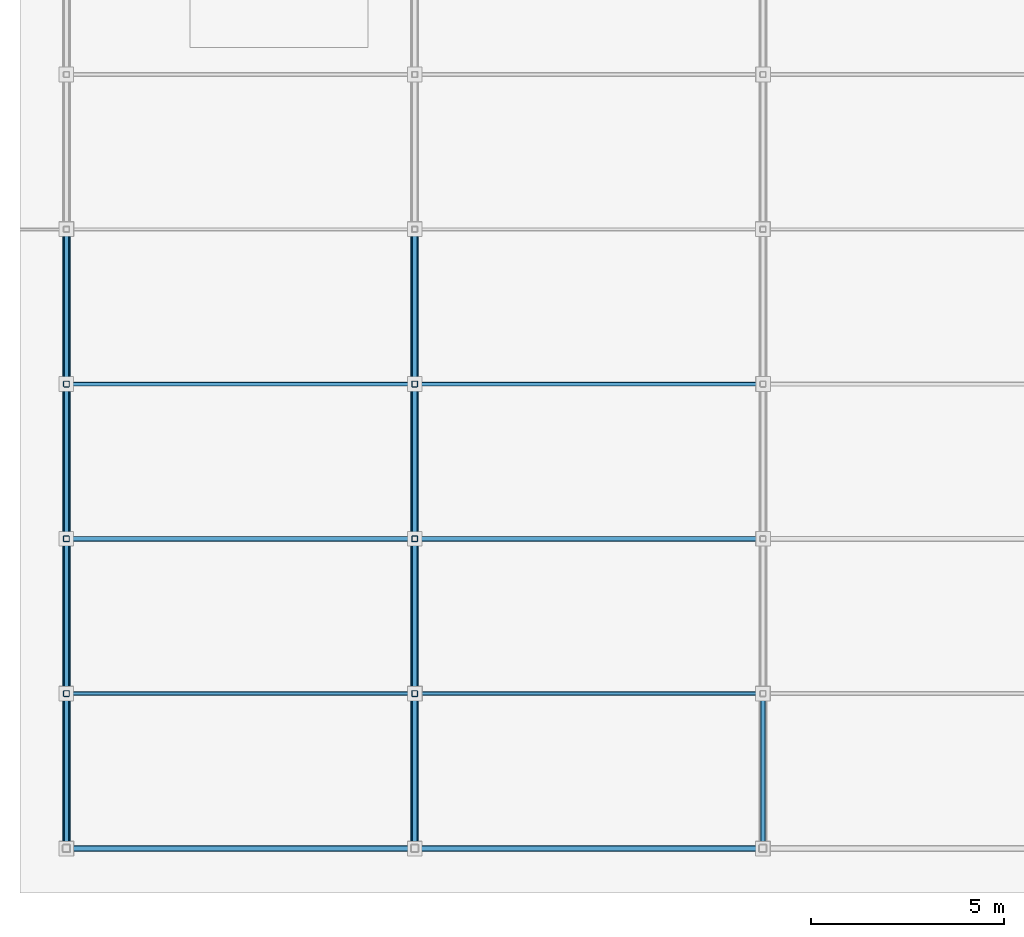
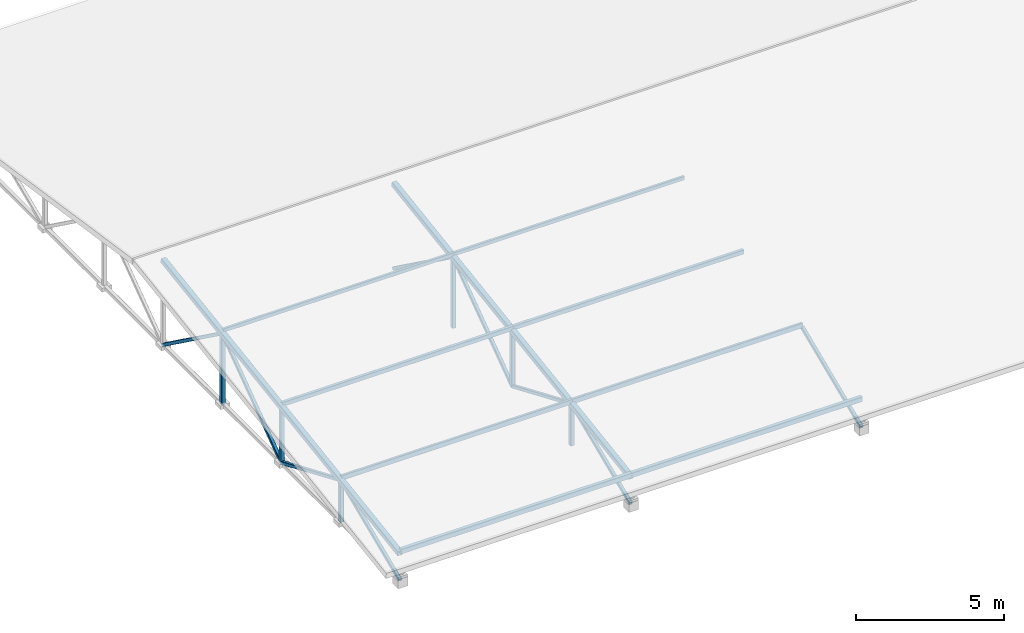
# One storey, part 8 of 118: 23 members, 2 beams.
"""IFC4 building model written with IfcOpenShell, lengths in metres."""

from ifc_helpers import new_model, si_unit, direction, frame, origin, origin_2d, place, context, subcontext, project, spatial, hollow_rectangle, extrude, material, material_profile, profile_set, type_object, element, save


model = new_model("IFC4")

# Units and contexts
model_context = context("Model", 3, precision=1e-05, world=origin(), true_north=direction((0.0, 1.0)))
body_context = subcontext(model_context, "Body", "Model", "MODEL_VIEW")
ifc_project = project(units=[si_unit("LENGTHUNIT", "METRE"), si_unit("AREAUNIT", "SQUARE_METRE"), si_unit("VOLUMEUNIT", "CUBIC_METRE"), si_unit("PLANEANGLEUNIT", "RADIAN"), si_unit("MASSUNIT", "GRAM", prefix="KILO"), si_unit("THERMODYNAMICTEMPERATUREUNIT", "KELVIN"), si_unit("POWERUNIT", "WATT")], contexts=[model_context])

# Site, building, storey
site_placement = place(None, origin())
site = spatial("IfcSite", under=ifc_project, at=site_placement, CompositionType="ELEMENT")
building_placement = place(site_placement, origin())
building = spatial("IfcBuilding", under=site, at=building_placement, Name="Zelmaris Science Centre", CompositionType="ELEMENT")
storey_placement = place(building_placement, frame((0.0, 0.0, 15.60009765625)))
storey = spatial("IfcBuildingStorey", under=building, at=storey_placement, Name="L03", CompositionType="ELEMENT", Elevation=15.60009765625)

# Beams
ifc_material = material(Name="Steel ASTM A500 Grade C", Category="steel")
ifc_material_profile_1 = material_profile(ifc_material, hollow_rectangle(XDim=0.203125, YDim=0.203125, WallThickness=0.01171875, InnerFilletRadius=0.01171875, OuterFilletRadius=0.023681640625, at=origin_2d()), Name="HSS203X203X13")
ifc_profile_set_1 = profile_set([ifc_material_profile_1], Name="Steel ASTM A500 Grade C")
beam_type = type_object("IfcBeamType", Name="Beam G-20 HSS203X203X13", PredefinedType="BEAM", material=ifc_profile_set_1)
for number, where, z_axis, x_axis, name in (
    (1, (9.0, 8.0, 0.99560546875), (0.0, 0.988937238327, 0.148334549755), (-1.0, 0.0, 0.0), "RF-V3 Roof truss 1 south top chord"),
    (2, (18.0, 8.0, 0.99560546875), (0.0, 0.988937238327, 0.148334549755), (-1.0, 0.0, 0.0), "RF-V3 Roof truss 2 south top chord"),
):
    element("IfcBeam", number, at=place(storey_placement, frame(where, z_axis=z_axis, x_axis=x_axis)), inside=storey, type_object=beam_type, Name=name, PredefinedType="BEAM", context=body_context, shape_type="SweptSolid", body=[
        extrude(hollow_rectangle(XDim=0.203125, YDim=0.203125, WallThickness=0.01171875, InnerFilletRadius=0.01171875, OuterFilletRadius=0.023681640625, at=origin_2d()), origin(), (0.0, 0.0, 1.0), 16.178955078125),
    ])

# Members
ifc_material_profile_2 = material_profile(ifc_material, hollow_rectangle(XDim=0.15234375, YDim=0.203125, WallThickness=0.0087890625, InnerFilletRadius=0.0087890625, OuterFilletRadius=0.017822265625, at=origin_2d()), Name="HSS203X152X10")
ifc_profile_set_2 = profile_set([ifc_material_profile_2], Name="Steel ASTM A500 Grade C")
member_type_1 = type_object("IfcMemberType", Name="Roof Purlin PR-02 HSS203X152X10", PredefinedType="PURLIN", material=ifc_profile_set_2)
for number, where, z_axis, x_axis, name in (
    (3, (9.0, 8.0, 1.090576171875), (1.0, 0.0, 0.0), (0.0, 1.0, 0.0), "RF-V3 Roof purlin 1"),
    (4, (18.0, 8.0, 1.090576171875), (1.0, 0.0, 0.0), (0.0, 1.0, 0.0), "RF-V3 Roof purlin 10"),
):
    element("IfcMember", number, at=place(storey_placement, frame(where, z_axis=z_axis, x_axis=x_axis)), inside=storey, type_object=member_type_1, Name=name, PredefinedType="PURLIN", context=body_context, shape_type="SweptSolid", body=[
        extrude(hollow_rectangle(XDim=0.15234375, YDim=0.203125, WallThickness=0.0087890625, InnerFilletRadius=0.0087890625, OuterFilletRadius=0.017822265625, at=origin_2d()), origin(), (0.0, 0.0, 1.0), 9.0),
    ])
ifc_material_profile_3 = material_profile(ifc_material, hollow_rectangle(XDim=0.1015625, YDim=0.203125, WallThickness=0.00732421875, InnerFilletRadius=0.00732421875, OuterFilletRadius=0.014892578125, at=origin_2d()), Name="HSS203X102X8")
ifc_profile_set_3 = profile_set([ifc_material_profile_3], Name="Steel ASTM A500 Grade C")
member_type_2 = type_object("IfcMemberType", Name="Roof Purlin PR-03 HSS203X102X8", PredefinedType="PURLIN", material=ifc_profile_set_3)
for number, where, z_axis, x_axis, name in (
    (5, (9.0, 12.0, 1.690673828125), (1.0, 0.0, 0.0), (0.0, 1.0, 0.0), "RF-V3 Roof purlin 2"),
    (6, (18.0, 12.0, 1.690673828125), (1.0, 0.0, 0.0), (0.0, 1.0, 0.0), "RF-V3 Roof purlin 11"),
):
    element("IfcMember", number, at=place(storey_placement, frame(where, z_axis=z_axis, x_axis=x_axis)), inside=storey, type_object=member_type_2, Name=name, PredefinedType="PURLIN", context=body_context, shape_type="SweptSolid", body=[
        extrude(hollow_rectangle(XDim=0.1015625, YDim=0.203125, WallThickness=0.00732421875, InnerFilletRadius=0.00732421875, OuterFilletRadius=0.014892578125, at=origin_2d()), origin(), (0.0, 0.0, 1.0), 9.0),
    ])
ifc_material_profile_4 = material_profile(ifc_material, hollow_rectangle(XDim=0.126953125, YDim=0.177734375, WallThickness=0.00732421875, InnerFilletRadius=0.00732421875, OuterFilletRadius=0.014892578125, at=origin_2d()), Name="HSS178X127X8")
ifc_profile_set_4 = profile_set([ifc_material_profile_4], Name="Steel ASTM A500 Grade C")
member_type_3 = type_object("IfcMemberType", Name="Roof Purlin PR-04 HSS178X127X8", PredefinedType="PURLIN", material=ifc_profile_set_4)
for number, where, z_axis, x_axis, name in (
    (7, (9.0, 16.0, 2.30322265625), (1.0, 0.0, 0.0), (0.0, 1.0, 0.0), "RF-V3 Roof purlin 3"),
    (8, (18.0, 16.0, 2.30322265625), (1.0, 0.0, 0.0), (0.0, 1.0, 0.0), "RF-V3 Roof purlin 12"),
):
    element("IfcMember", number, at=place(storey_placement, frame(where, z_axis=z_axis, x_axis=x_axis)), inside=storey, type_object=member_type_3, Name=name, PredefinedType="PURLIN", context=body_context, shape_type="SweptSolid", body=[
        extrude(hollow_rectangle(XDim=0.126953125, YDim=0.177734375, WallThickness=0.00732421875, InnerFilletRadius=0.00732421875, OuterFilletRadius=0.014892578125, at=origin_2d()), origin(), (0.0, 0.0, 1.0), 9.0),
    ])
ifc_material_profile_5 = material_profile(ifc_material, hollow_rectangle(XDim=0.1015625, YDim=0.15234375, WallThickness=0.005859375, InnerFilletRadius=0.005859375, OuterFilletRadius=0.01171875, at=origin_2d()), Name="HSS152X102X6")
ifc_profile_set_5 = profile_set([ifc_material_profile_5], Name="Steel ASTM A500 Grade C")
member_type_4 = type_object("IfcMemberType", Name="Roof Purlin PR-05 HSS152X102X6", PredefinedType="PURLIN", material=ifc_profile_set_5)
for number, where, z_axis, x_axis, name in (
    (9, (9.0, 20.0, 2.916015625), (1.0, 0.0, 0.0), (0.0, 1.0, 0.0), "RF-V3 Roof purlin 4"),
    (10, (18.0, 20.0, 2.916015625), (1.0, 0.0, 0.0), (0.0, 1.0, 0.0), "RF-V3 Roof purlin 13"),
):
    element("IfcMember", number, at=place(storey_placement, frame(where, z_axis=z_axis, x_axis=x_axis)), inside=storey, type_object=member_type_4, Name=name, PredefinedType="PURLIN", context=body_context, shape_type="SweptSolid", body=[
        extrude(hollow_rectangle(XDim=0.1015625, YDim=0.15234375, WallThickness=0.005859375, InnerFilletRadius=0.005859375, OuterFilletRadius=0.01171875, at=origin_2d()), origin(), (0.0, 0.0, 1.0), 9.0),
    ])
ifc_material_profile_6 = material_profile(ifc_material, hollow_rectangle(XDim=0.15234375, YDim=0.15234375, WallThickness=0.0087890625, InnerFilletRadius=0.0087890625, OuterFilletRadius=0.017822265625, at=origin_2d()), Name="HSS152X152X10")
ifc_profile_set_6 = profile_set([ifc_material_profile_6], Name="Steel ASTM A500 Grade C")
member_type_5 = type_object("IfcMemberType", Name="Structural Brace BR-03 HSS152X152X10", PredefinedType="BRACE", material=ifc_profile_set_6)
member_1_placement = place(storey_placement, frame((9.0, 12.0, -0.1044921875), z_axis=(0.0, 0.0, 1.0), x_axis=(1.0, 0.0, 0.0)))
element("IfcMember", 11, at=member_1_placement, inside=storey, type_object=member_type_5, Name="RF-V3 Roof truss 1 vertical web 1", PredefinedType="BRACE", context=body_context, shape_type="SweptSolid", body=[
    extrude(hollow_rectangle(XDim=0.15234375, YDim=0.15234375, WallThickness=0.0087890625, InnerFilletRadius=0.0087890625, OuterFilletRadius=0.017822265625, at=origin_2d()), origin(), (0.0, 0.0, 1.0), 1.7001953125),
])
member_2_placement = place(storey_placement, frame((9.0, 16.0, -0.1044921875), z_axis=(0.0, 0.0, 1.0), x_axis=(1.0, 0.0, 0.0)))
element("IfcMember", 12, at=member_2_placement, inside=storey, type_object=member_type_5, Name="RF-V3 Roof truss 1 vertical web 2", PredefinedType="BRACE", context=body_context, shape_type="SweptSolid", body=[
    extrude(hollow_rectangle(XDim=0.15234375, YDim=0.15234375, WallThickness=0.0087890625, InnerFilletRadius=0.0087890625, OuterFilletRadius=0.017822265625, at=origin_2d()), origin(), (0.0, 0.0, 1.0), 2.300048828125),
])
member_3_placement = place(storey_placement, frame((9.0, 20.0, -0.1044921875), z_axis=(0.0, 0.0, 1.0), x_axis=(1.0, 0.0, 0.0)))
element("IfcMember", 13, at=member_3_placement, inside=storey, type_object=member_type_5, Name="RF-V3 Roof truss 1 vertical web 3", PredefinedType="BRACE", context=body_context, shape_type="SweptSolid", body=[
    extrude(hollow_rectangle(XDim=0.15234375, YDim=0.15234375, WallThickness=0.0087890625, InnerFilletRadius=0.0087890625, OuterFilletRadius=0.017822265625, at=origin_2d()), origin(), (0.0, 0.0, 1.0), 2.900146484375),
])
member_4_placement = place(storey_placement, frame((18.0, 12.0, -0.1044921875), z_axis=(0.0, 0.0, 1.0), x_axis=(1.0, 0.0, 0.0)))
element("IfcMember", 14, at=member_4_placement, inside=storey, type_object=member_type_5, Name="RF-V3 Roof truss 2 vertical web 1", PredefinedType="BRACE", context=body_context, shape_type="SweptSolid", body=[
    extrude(hollow_rectangle(XDim=0.15234375, YDim=0.15234375, WallThickness=0.0087890625, InnerFilletRadius=0.0087890625, OuterFilletRadius=0.017822265625, at=origin_2d()), origin(), (0.0, 0.0, 1.0), 1.7001953125),
])
member_5_placement = place(storey_placement, frame((18.0, 16.0, -0.1044921875), z_axis=(0.0, 0.0, 1.0), x_axis=(1.0, 0.0, 0.0)))
element("IfcMember", 15, at=member_5_placement, inside=storey, type_object=member_type_5, Name="RF-V3 Roof truss 2 vertical web 2", PredefinedType="BRACE", context=body_context, shape_type="SweptSolid", body=[
    extrude(hollow_rectangle(XDim=0.15234375, YDim=0.15234375, WallThickness=0.0087890625, InnerFilletRadius=0.0087890625, OuterFilletRadius=0.017822265625, at=origin_2d()), origin(), (0.0, 0.0, 1.0), 2.300048828125),
])
member_6_placement = place(storey_placement, frame((18.0, 20.0, -0.1044921875), z_axis=(0.0, 0.0, 1.0), x_axis=(1.0, 0.0, 0.0)))
element("IfcMember", 16, at=member_6_placement, inside=storey, type_object=member_type_5, Name="RF-V3 Roof truss 2 vertical web 3", PredefinedType="BRACE", context=body_context, shape_type="SweptSolid", body=[
    extrude(hollow_rectangle(XDim=0.15234375, YDim=0.15234375, WallThickness=0.0087890625, InnerFilletRadius=0.0087890625, OuterFilletRadius=0.017822265625, at=origin_2d()), origin(), (0.0, 0.0, 1.0), 2.900146484375),
])
ifc_material_profile_7 = material_profile(ifc_material, hollow_rectangle(XDim=0.126953125, YDim=0.126953125, WallThickness=0.00732421875, InnerFilletRadius=0.00732421875, OuterFilletRadius=0.014892578125, at=origin_2d()), Name="HSS127X127X8")
ifc_profile_set_7 = profile_set([ifc_material_profile_7], Name="Steel ASTM A500 Grade C")
member_type_6 = type_object("IfcMemberType", Name="Structural Brace BR-04 HSS127X127X8", PredefinedType="BRACE", material=ifc_profile_set_7)
for number, where, z_axis, x_axis, name in (
    (17, (9.0, 8.0, -0.1044921875), (0.0, 0.920314741215, 0.39117870226), (-1.0, 0.0, 0.0), "RF-V3 Roof truss 1 web diagonal 1"),
    (18, (9.0, 12.0, 1.595703125), (0.0, 0.920314741215, -0.39117870226), (-1.0, 0.0, 0.0), "RF-V3 Roof truss 1 web diagonal 2"),
):
    element("IfcMember", number, at=place(storey_placement, frame(where, z_axis=z_axis, x_axis=x_axis)), inside=storey, type_object=member_type_6, Name=name, PredefinedType="BRACE", context=body_context, shape_type="SweptSolid", body=[
        extrude(hollow_rectangle(XDim=0.126953125, YDim=0.126953125, WallThickness=0.00732421875, InnerFilletRadius=0.00732421875, OuterFilletRadius=0.014892578125, at=origin_2d()), origin(), (0.0, 0.0, 1.0), 4.346435546875),
    ])
for number, where, z_axis, x_axis, name in (
    (19, (9.0, 16.0, -0.1044921875), (0.0, 0.80959635384, 0.586987004838), (-1.0, 0.0, 0.0), "RF-V3 Roof truss 1 web diagonal 3"),
    (20, (9.0, 20.0, 2.795654296875), (0.0, 0.80959635384, -0.586987004838), (-1.0, 0.0, 0.0), "RF-V3 Roof truss 1 web diagonal 4"),
):
    element("IfcMember", number, at=place(storey_placement, frame(where, z_axis=z_axis, x_axis=x_axis)), inside=storey, type_object=member_type_6, Name=name, PredefinedType="BRACE", context=body_context, shape_type="SweptSolid", body=[
        extrude(hollow_rectangle(XDim=0.126953125, YDim=0.126953125, WallThickness=0.00732421875, InnerFilletRadius=0.00732421875, OuterFilletRadius=0.014892578125, at=origin_2d()), origin(), (0.0, 0.0, 1.0), 4.940673828125),
    ])
for number, where, z_axis, x_axis, name in (
    (21, (18.0, 8.0, -0.1044921875), (0.0, 0.920314741215, 0.39117870226), (-1.0, 0.0, 0.0), "RF-V3 Roof truss 2 web diagonal 1"),
    (22, (18.0, 12.0, 1.595703125), (0.0, 0.920314741215, -0.39117870226), (-1.0, 0.0, 0.0), "RF-V3 Roof truss 2 web diagonal 2"),
):
    element("IfcMember", number, at=place(storey_placement, frame(where, z_axis=z_axis, x_axis=x_axis)), inside=storey, type_object=member_type_6, Name=name, PredefinedType="BRACE", context=body_context, shape_type="SweptSolid", body=[
        extrude(hollow_rectangle(XDim=0.126953125, YDim=0.126953125, WallThickness=0.00732421875, InnerFilletRadius=0.00732421875, OuterFilletRadius=0.014892578125, at=origin_2d()), origin(), (0.0, 0.0, 1.0), 4.346435546875),
    ])
for number, where, z_axis, x_axis, name in (
    (23, (18.0, 16.0, -0.1044921875), (0.0, 0.80959635384, 0.586987004838), (-1.0, 0.0, 0.0), "RF-V3 Roof truss 2 web diagonal 3"),
    (24, (18.0, 20.0, 2.795654296875), (0.0, 0.80959635384, -0.586987004838), (-1.0, 0.0, 0.0), "RF-V3 Roof truss 2 web diagonal 4"),
):
    element("IfcMember", number, at=place(storey_placement, frame(where, z_axis=z_axis, x_axis=x_axis)), inside=storey, type_object=member_type_6, Name=name, PredefinedType="BRACE", context=body_context, shape_type="SweptSolid", body=[
        extrude(hollow_rectangle(XDim=0.126953125, YDim=0.126953125, WallThickness=0.00732421875, InnerFilletRadius=0.00732421875, OuterFilletRadius=0.014892578125, at=origin_2d()), origin(), (0.0, 0.0, 1.0), 4.940673828125),
    ])
member_7_placement = place(storey_placement, frame((27.0, 8.0, -0.1044921875), z_axis=(0.0, 0.920314741215, 0.39117870226), x_axis=(-1.0, 0.0, 0.0)))
element("IfcMember", 25, at=member_7_placement, inside=storey, type_object=member_type_6, Name="RF-V3 Roof truss 3 web diagonal 1", PredefinedType="BRACE", context=body_context, shape_type="SweptSolid", body=[
    extrude(hollow_rectangle(XDim=0.126953125, YDim=0.126953125, WallThickness=0.00732421875, InnerFilletRadius=0.00732421875, OuterFilletRadius=0.014892578125, at=origin_2d()), origin(), (0.0, 0.0, 1.0), 4.346435546875),
])

save(model, "model.ifc")
